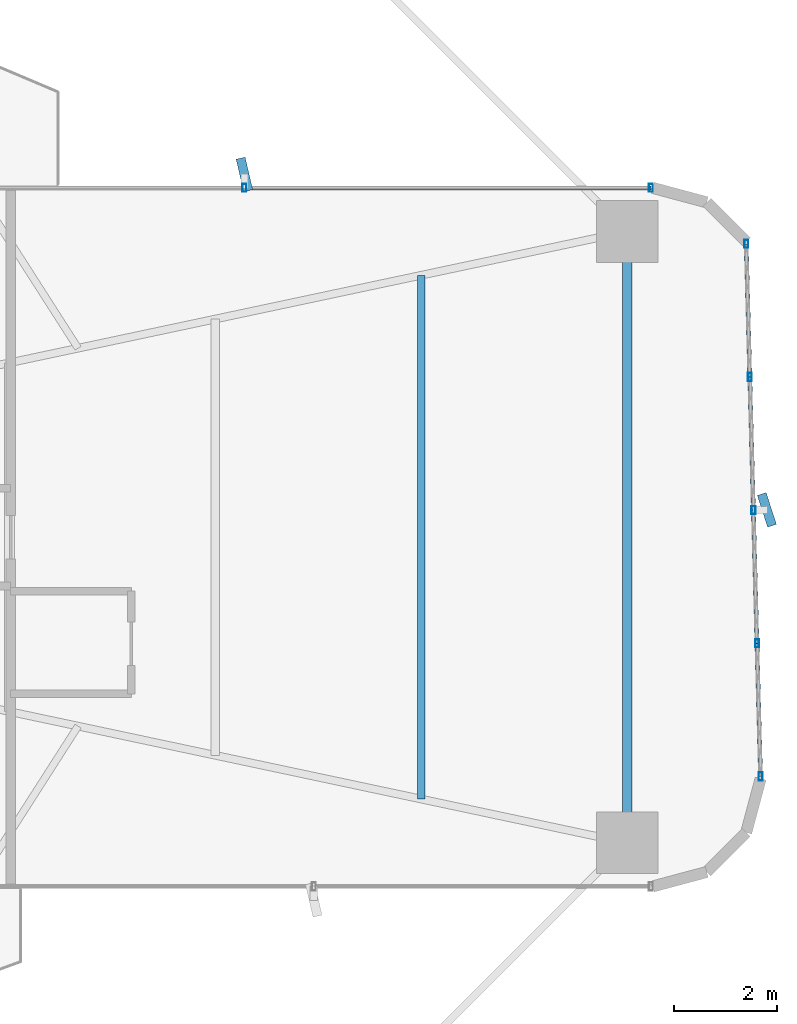
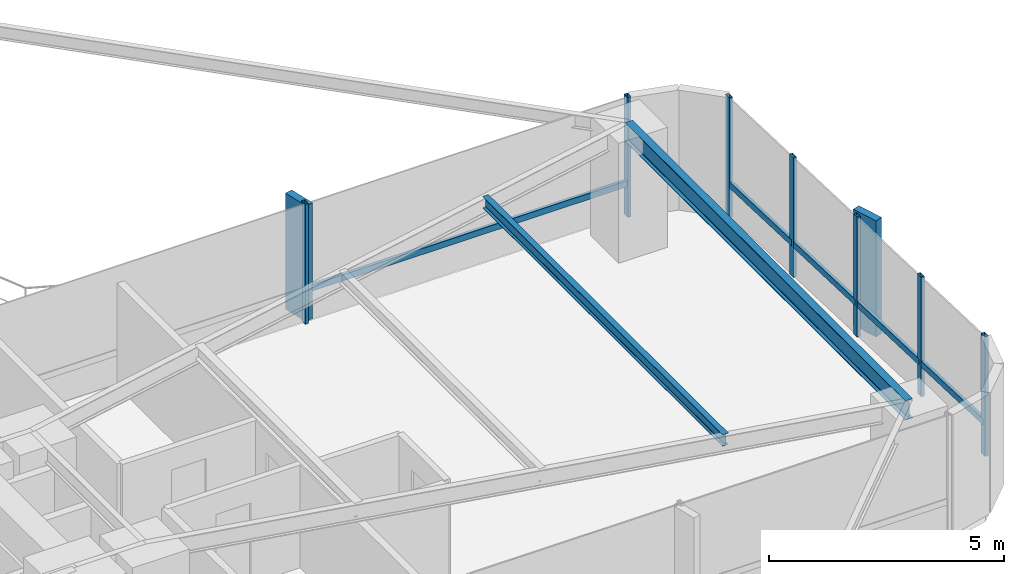
# One storey, part 16 of 26: 14 members, 2 beams, 2 elements without a shape of their own.
"""IFC4 building model written with IfcOpenShell, lengths in metres."""

from ifc_helpers import new_model, si_unit, direction, frame, origin, origin_2d, place, context, subcontext, project, spatial, rectangle, hollow_rectangle, i_section, extrude, source, transform, mapped, material, material_profile, profile_set, type_object, element, aggregate, save


model = new_model("IFC4")

# Units and contexts
model_context = context("Model", 3, precision=1e-05, world=origin(), true_north=direction((0.0, 1.0)))
body_context = subcontext(model_context, "Body", "Model", "MODEL_VIEW")
ifc_project = project(units=[si_unit("LENGTHUNIT", "METRE"), si_unit("AREAUNIT", "SQUARE_METRE"), si_unit("VOLUMEUNIT", "CUBIC_METRE"), si_unit("PLANEANGLEUNIT", "RADIAN"), si_unit("MASSUNIT", "GRAM", prefix="KILO")], contexts=[model_context])

# Site, building, storey
site_placement = place(None, origin())
site = spatial("IfcSite", under=ifc_project, at=site_placement, CompositionType="ELEMENT")
building_placement = place(site_placement, origin())
building = spatial("IfcBuilding", under=site, at=building_placement, Name="Sahyath Konkavel Grand Hotel", CompositionType="ELEMENT")
storey_placement = place(building_placement, frame((0.0, 0.0, 29.800048828125)))
storey = spatial("IfcBuildingStorey", under=building, at=storey_placement, Name="L07", CompositionType="ELEMENT", Elevation=29.800048828125)

# Beams
ifc_material_1 = material(Name="Steel E350", Category="steel")
ifc_material_profile_1 = material_profile(ifc_material_1, i_section(OverallWidth=0.179931640625, OverallDepth=0.5, WebThickness=0.01025390625, FlangeThickness=0.01708984375, FilletRadius=0.01708984375, at=origin_2d()), Name="ISMB 500")
ifc_profile_set_1 = profile_set([ifc_material_profile_1], Name="Steel E350")
beam_type_1 = type_object("IfcBeamType", Name="BM-ISMB500", PredefinedType="BEAM", material=ifc_profile_set_1)
shared_shape_1 = source(origin(), body_context, "Body", "SweptSolid", [
    extrude(i_section(OverallWidth=0.179931640625, OverallDepth=0.5, WebThickness=0.01025390625, FlangeThickness=0.01708984375, FilletRadius=0.01708984375, at=origin_2d()), origin(), (0.0, 0.0, 1.0), 11.89990234375),
])
beam_1_placement = place(storey_placement, frame((22.199951171875, -5.949951171875, 2.85986328125), z_axis=(0.0, 1.0, 0.0), x_axis=(-1.0, 0.0, 0.0)))
element("IfcBeam", 1, at=beam_1_placement, inside=storey, type_object=beam_type_1, Name="L07 Wing Tip Edge Beam E", PredefinedType="BEAM", context=body_context, shape_type="MappedRepresentation", body=[
    mapped(shared_shape_1, transform((0.0, 0.0, 0.0), scale=1.0)),
])
ifc_material_profile_2 = material_profile(ifc_material_1, i_section(OverallWidth=0.139892578125, OverallDepth=0.300048828125, WebThickness=0.0078125, FlangeThickness=0.01318359375, FilletRadius=0.013916015625, at=origin_2d()), Name="ISMB 300")
ifc_profile_set_2 = profile_set([ifc_material_profile_2], Name="Steel E350")
beam_type_2 = type_object("IfcBeamType", Name="BM-ISMB300", PredefinedType="BEAM", material=ifc_profile_set_2)
shared_shape_2 = source(origin(), body_context, "Body", "SweptSolid", [
    extrude(i_section(OverallWidth=0.139892578125, OverallDepth=0.300048828125, WebThickness=0.0078125, FlangeThickness=0.01318359375, FilletRadius=0.013916015625, at=origin_2d()), origin(), (0.0, 0.0, 1.0), 10.19580078125),
])
beam_2_placement = place(storey_placement, frame((18.19189453125, -5.097900390625, 2.9599609375), z_axis=(0.0, 1.0, 0.0), x_axis=(-1.0, 0.0, 0.0)))
element("IfcBeam", 2, at=beam_2_placement, inside=storey, type_object=beam_type_2, Name="L07 Secondary Floor Beam E-3", PredefinedType="BEAM", context=body_context, shape_type="MappedRepresentation", body=[
    mapped(shared_shape_2, transform((0.0, 0.0, 0.0), scale=1.0)),
])

# Curtain wall, members
ifc_material_2 = material(Name="Anodised Bronze Aluminium & Low-E Glazing", Category="aluminium")
curtain_wall_type = type_object("IfcCurtainWallType", Name="CW-ZONE1", PredefinedType="NOTDEFINED", material=ifc_material_2)
curtain_wall_1_placement = place(storey_placement, origin())
curtain_wall_1 = element("IfcCurtainWall", 3, at=curtain_wall_1_placement, inside=storey, type_object=curtain_wall_type, Name="L07 Unitised Curtain Wall F4", PredefinedType="NOTDEFINED")
ifc_material_3 = material(Name="Anodised Bronze Aluminium", Category="aluminium")
ifc_material_profile_3 = material_profile(ifc_material_3, hollow_rectangle(XDim=0.080078125, YDim=0.159912109375, WallThickness=0.006103515625, at=origin_2d()), Name="RHS 160x80x6")
ifc_profile_set_3 = profile_set([ifc_material_profile_3], Name="Anodised Bronze Aluminium")
member_type_1 = type_object("IfcMemberType", Name="CW-MUL-160", PredefinedType="MULLION", material=ifc_profile_set_3)
shared_shape_3 = source(origin(), body_context, "Body", "SweptSolid", [
    extrude(hollow_rectangle(XDim=0.080078125, YDim=0.159912109375, WallThickness=0.006103515625, at=origin_2d()), origin(), (0.0, 0.0, 1.0), 3.10986328125),
])
member_1_placement = place(storey_placement, frame((24.798828125, -4.659912109375, 0.0), z_axis=(0.0, 0.0, 1.0), x_axis=(1.0, 0.0, 0.0)))
member_1 = element("IfcMember", 4, at=member_1_placement, type_object=member_type_1, Name="L07 Curtain Wall Mullion F4-0", PredefinedType="MULLION", context=body_context, shape_type="MappedRepresentation", body=[
    mapped(shared_shape_3, transform((0.0, 0.0, 0.0), scale=1.0)),
])
member_2_placement = place(storey_placement, frame((24.72900390625, -2.0673828125, 0.0), z_axis=(0.0, 0.0, 1.0), x_axis=(1.0, 0.0, 0.0)))
member_2 = element("IfcMember", 5, at=member_2_placement, type_object=member_type_1, Name="L07 Curtain Wall Mullion F4-1", PredefinedType="MULLION", context=body_context, shape_type="MappedRepresentation", body=[
    mapped(shared_shape_3, transform((0.0, 0.0, 0.0), scale=1.0)),
])
member_3_placement = place(storey_placement, frame((24.6591796875, 0.52490234375, 0.0), z_axis=(0.0, 0.0, 1.0), x_axis=(1.0, 0.0, 0.0)))
member_3 = element("IfcMember", 6, at=member_3_placement, type_object=member_type_1, Name="L07 Curtain Wall Mullion F4-2", PredefinedType="MULLION", context=body_context, shape_type="MappedRepresentation", body=[
    mapped(shared_shape_3, transform((0.0, 0.0, 0.0), scale=1.0)),
])
member_4_placement = place(storey_placement, frame((24.589599609375, 3.117431640625, 0.0), z_axis=(0.0, 0.0, 1.0), x_axis=(1.0, 0.0, 0.0)))
member_4 = element("IfcMember", 7, at=member_4_placement, type_object=member_type_1, Name="L07 Curtain Wall Mullion F4-3", PredefinedType="MULLION", context=body_context, shape_type="MappedRepresentation", body=[
    mapped(shared_shape_3, transform((0.0, 0.0, 0.0), scale=1.0)),
])
member_5_placement = place(storey_placement, frame((24.519775390625, 5.7099609375, 0.0), z_axis=(0.0, 0.0, 1.0), x_axis=(1.0, 0.0, 0.0)))
member_5 = element("IfcMember", 8, at=member_5_placement, type_object=member_type_1, Name="L07 Curtain Wall Mullion F4-4", PredefinedType="MULLION", context=body_context, shape_type="MappedRepresentation", body=[
    mapped(shared_shape_3, transform((0.0, 0.0, 0.0), scale=1.0)),
])

curtain_wall_2_placement = place(storey_placement, origin())
curtain_wall_2 = element("IfcCurtainWall", 9, at=curtain_wall_2_placement, inside=storey, type_object=curtain_wall_type, Name="L07 Unitised Curtain Wall F7", PredefinedType="NOTDEFINED")
member_6_placement = place(storey_placement, frame((22.659912109375, 6.800048828125, 0.0), z_axis=(0.0, 0.0, 1.0), x_axis=(1.0, 0.0, 0.0)))
member_6 = element("IfcMember", 10, at=member_6_placement, type_object=member_type_1, Name="L07 Curtain Wall Mullion F7-0", PredefinedType="MULLION", context=body_context, shape_type="MappedRepresentation", body=[
    mapped(shared_shape_3, transform((0.0, 0.0, 0.0), scale=1.0)),
])
member_7_placement = place(storey_placement, frame((14.75, 6.800048828125, 0.0), z_axis=(0.0, 0.0, 1.0), x_axis=(1.0, 0.0, 0.0)))
member_7 = element("IfcMember", 11, at=member_7_placement, type_object=member_type_1, Name="L07 Curtain Wall Mullion F7-1", PredefinedType="MULLION", context=body_context, shape_type="MappedRepresentation", body=[
    mapped(shared_shape_3, transform((0.0, 0.0, 0.0), scale=1.0)),
])

# Member
ifc_material_4 = material(Name="Warm Buff Sandstone Cladding on Concrete C50/60", Category="masonry")
ifc_material_profile_4 = material_profile(ifc_material_4, rectangle(XDim=0.179931640625, YDim=0.64990234375, at=origin_2d()), Name="FIN 180x650")
ifc_profile_set_4 = profile_set([ifc_material_profile_4], Name="Warm Buff Sandstone Cladding on Concrete C50/60")
member_type_2 = type_object("IfcMemberType", Name="FIN-SANDSTONE-650", PredefinedType="MULLION", material=ifc_profile_set_4)
shared_shape_4 = source(origin(), body_context, "Body", "SweptSolid", [
    extrude(rectangle(XDim=0.179931640625, YDim=0.64990234375, at=origin_2d()), origin(), (0.0, 0.0, 1.0), 3.010009765625),
])
member_8_placement = place(storey_placement, frame((24.919189453125, 0.531982421875, 0.050048828125), z_axis=(0.0, 0.0, 1.0), x_axis=(0.951110435449, 0.308850998993, 0.0)))
member_8 = element("IfcMember", 12, at=member_8_placement, type_object=member_type_2, Name="L07 Sandstone Vertical Solar Fin FIN F4-2", PredefinedType="MULLION", context=body_context, shape_type="MappedRepresentation", body=[
    mapped(shared_shape_4, transform((0.0, 0.0, 0.0), scale=1.0)),
])

member_9_placement = place(storey_placement, frame((14.75, 7.06005859375, 0.050048828125), z_axis=(0.0, 0.0, 1.0), x_axis=(0.973896791711, 0.226991275371, 0.0)))
member_9 = element("IfcMember", 13, at=member_9_placement, type_object=member_type_2, Name="L07 Sandstone Vertical Solar Fin FIN F7-1", PredefinedType="MULLION", context=body_context, shape_type="MappedRepresentation", body=[
    mapped(shared_shape_4, transform((0.0, 0.0, 0.0), scale=1.0)),
])

ifc_material_profile_5 = material_profile(ifc_material_3, hollow_rectangle(XDim=0.080078125, YDim=0.159912109375, WallThickness=0.006103515625, at=origin_2d()), Name="RHS 160x80x6")
ifc_profile_set_5 = profile_set([ifc_material_profile_5], Name="Anodised Bronze Aluminium")
member_type_3 = type_object("IfcMemberType", Name="CW-TRN-160", PredefinedType="USERDEFINED", material=ifc_profile_set_5)
shared_shape_5 = source(origin(), body_context, "Body", "SweptSolid", [
    extrude(hollow_rectangle(XDim=0.080078125, YDim=0.159912109375, WallThickness=0.006103515625, at=origin_2d()), origin(), (0.0, 0.0, 1.0), 7.909912109375),
])
member_10_placement = place(storey_placement, frame((22.659912109375, 6.800048828125, 0.849853515625), z_axis=(-1.0, 0.0, 0.0), x_axis=(0.0, -1.0, 0.0)))
member_10 = element("IfcMember", 14, at=member_10_placement, type_object=member_type_3, Name="L07 Curtain Wall Transom F7-0-spandrel", ObjectType="TRANSOM", PredefinedType="USERDEFINED", context=body_context, shape_type="MappedRepresentation", body=[
    mapped(shared_shape_5, transform((0.0, 0.0, 0.0), scale=1.0)),
])

aggregate(curtain_wall_2, [member_6, member_7, member_9, member_10])

shared_shape_6 = source(origin(), body_context, "Body", "SweptSolid", [
    extrude(hollow_rectangle(XDim=0.080078125, YDim=0.159912109375, WallThickness=0.006103515625, at=origin_2d()), origin(), (0.0, 0.0, 1.0), 2.593505859375),
])
member_11_placement = place(storey_placement, frame((24.798828125, -4.659912109375, 0.849853515625), z_axis=(-0.026923093252, 0.999637507825, 0.0), x_axis=(-0.999637507825, -0.026923093252, 0.0)))
member_11 = element("IfcMember", 15, at=member_11_placement, type_object=member_type_3, Name="L07 Curtain Wall Transom F4-0-spandrel", ObjectType="TRANSOM", PredefinedType="USERDEFINED", context=body_context, shape_type="MappedRepresentation", body=[
    mapped(shared_shape_6, transform((0.0, 0.0, 0.0), scale=1.0)),
])

member_12_placement = place(storey_placement, frame((24.6591796875, 0.52490234375, 0.849853515625), z_axis=(-0.02682902444, 0.999640036937, 0.0), x_axis=(-0.999640036937, -0.02682902444, 0.0)))
member_12 = element("IfcMember", 16, at=member_12_placement, type_object=member_type_3, Name="L07 Curtain Wall Transom F4-2-spandrel", ObjectType="TRANSOM", PredefinedType="USERDEFINED", context=body_context, shape_type="MappedRepresentation", body=[
    mapped(shared_shape_6, transform((0.0, 0.0, 0.0), scale=1.0)),
])

member_13_placement = place(storey_placement, frame((24.589599609375, 3.117431640625, 0.849853515625), z_axis=(-0.026923093252, 0.999637507825, 0.0), x_axis=(-0.999637507825, -0.026923093252, 0.0)))
member_13 = element("IfcMember", 17, at=member_13_placement, type_object=member_type_3, Name="L07 Curtain Wall Transom F4-3-spandrel", ObjectType="TRANSOM", PredefinedType="USERDEFINED", context=body_context, shape_type="MappedRepresentation", body=[
    mapped(shared_shape_6, transform((0.0, 0.0, 0.0), scale=1.0)),
])

shared_shape_7 = source(origin(), body_context, "Body", "SweptSolid", [
    extrude(hollow_rectangle(XDim=0.080078125, YDim=0.159912109375, WallThickness=0.006103515625, at=origin_2d()), origin(), (0.0, 0.0, 1.0), 2.59326171875),
])
member_14_placement = place(storey_placement, frame((24.72900390625, -2.0673828125, 0.849853515625), z_axis=(-0.026925627022, 0.99963743958, 0.0), x_axis=(-0.99963743958, -0.026925627022, 0.0)))
member_14 = element("IfcMember", 18, at=member_14_placement, type_object=member_type_3, Name="L07 Curtain Wall Transom F4-1-spandrel", ObjectType="TRANSOM", PredefinedType="USERDEFINED", context=body_context, shape_type="MappedRepresentation", body=[
    mapped(shared_shape_7, transform((0.0, 0.0, 0.0), scale=1.0)),
])

aggregate(curtain_wall_1, [member_1, member_2, member_3, member_8, member_4, member_5, member_11, member_14, member_12, member_13])

save(model, "model.ifc")
